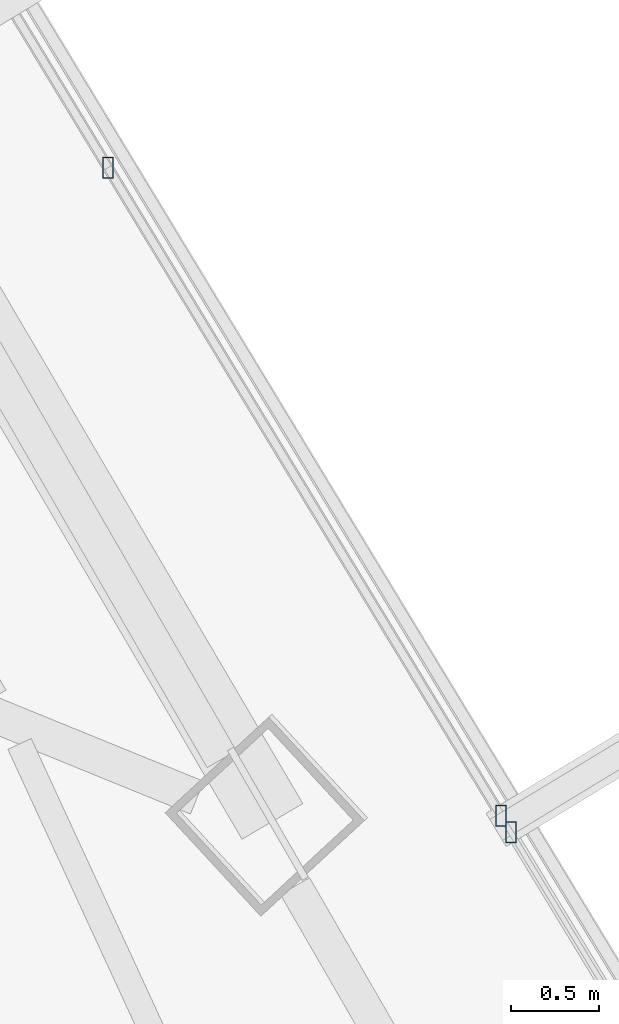
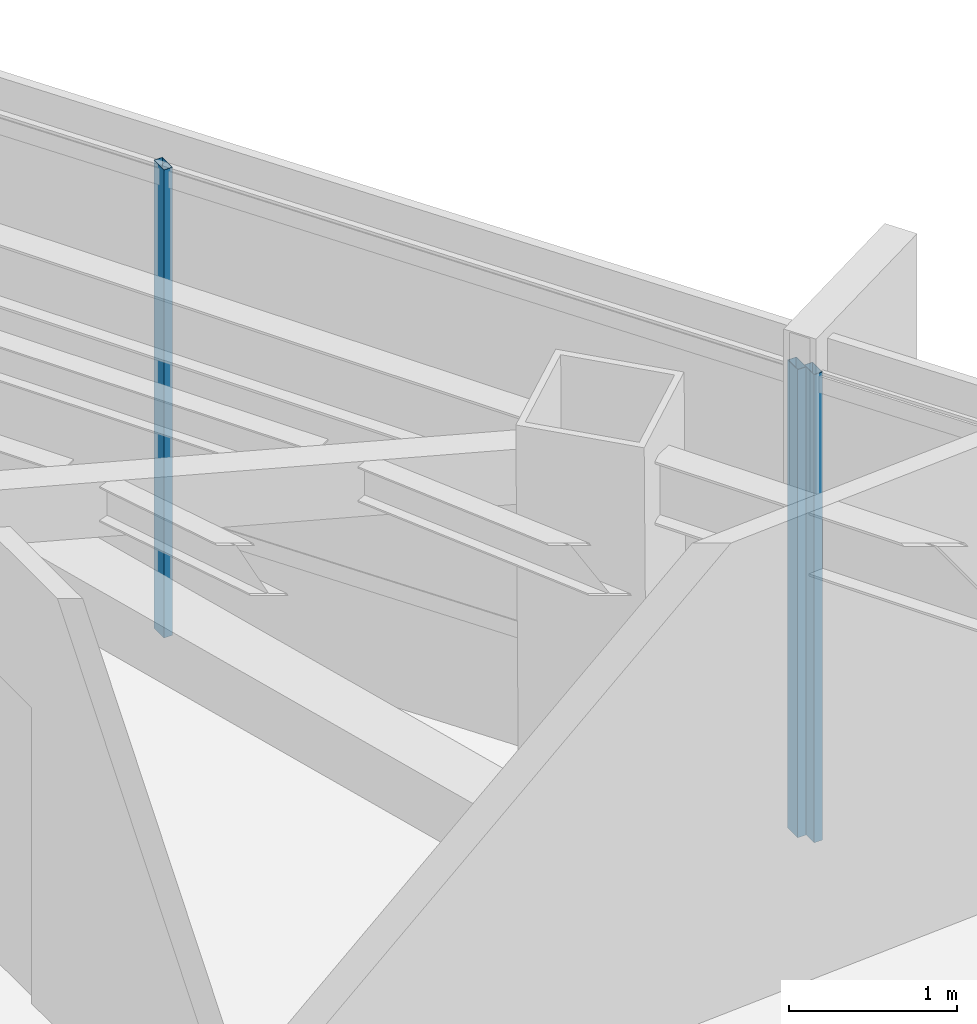
# One storey, part 29 of 47: 3 members, 2 elements without a shape of their own.
"""IFC4 building model written with IfcOpenShell, lengths in metres."""

import ifcopenshell
import ifcopenshell.guid

model = None  # the IFC model being written
_history = None  # IfcOwnerHistory: only IFC2X3 demands one
_inside = {}  # id of a spatial element -> (the spatial element, [elements in it])
_under = {}  # id of a project, library or spatial element -> (it, [spatial elements below it])
_declared = {}  # id of a project -> (the project, [libraries it declares])
_typed = {}  # id of a type object -> (the type object, [elements of that type])
_made_of = {}  # id of a material, layer set ... -> (it, [elements and type objects made of it])


def new_model(schema):
    """Start an empty IFC model of exactly this schema.

    Asked for "IFC4X3", IfcOpenShell would pick the latest addendum, in which some entities
    have other attributes; the version numbers below select the first issue.
    IFC2X3 requires an IfcOwnerHistory on every rooted entity: one is made here for all.
    """
    global model, _history
    if schema == "IFC4X3":
        model = ifcopenshell.file(schema_version=(4, 3, 0, 0))
    else:
        model = ifcopenshell.file(schema=schema)
    _inside.clear()
    _under.clear()
    _declared.clear()
    _typed.clear()
    _made_of.clear()
    _history = None
    if model.schema == "IFC2X3":
        org = make("IfcOrganization", Name="unknown")
        user = make(
            "IfcPersonAndOrganization",
            ThePerson=make("IfcPerson", FamilyName="unknown"),
            TheOrganization=org,
        )
        app = make(
            "IfcApplication",
            ApplicationDeveloper=org,
            Version="unknown",
            ApplicationFullName="unknown",
            ApplicationIdentifier="unknown",
        )
        _history = make(
            "IfcOwnerHistory",
            OwningUser=user,
            OwningApplication=app,
            ChangeAction="ADDED",
            CreationDate=0,
        )
    return model


def make(cls, **values):
    """One entity of the class cls with the attributes given. An attribute that is None is left unset."""
    return model.create_entity(
        cls, **{name: value for name, value in values.items() if value is not None}
    )


def rooted(cls, **values):
    """An entity with a GlobalId (a new one), such as an element, a storey or a relation."""
    return make(cls, GlobalId=ifcopenshell.guid.new(), OwnerHistory=_history, **values)


def si_unit(unit_type, name, prefix=None):
    """IfcSIUnit, for example si_unit("LENGTHUNIT", "METRE", prefix="MILLI")."""
    return make("IfcSIUnit", UnitType=unit_type, Prefix=prefix, Name=name)


def assignment(units):
    """IfcUnitAssignment: the units of a project."""
    return None if units is None else make("IfcUnitAssignment", Units=units)


def point(xyz):
    """IfcCartesianPoint."""
    return None if xyz is None else make("IfcCartesianPoint", Coordinates=xyz)


def direction(xyz):
    """IfcDirection."""
    return None if xyz is None else make("IfcDirection", DirectionRatios=xyz)


def frame(location, z_axis=None, x_axis=None):
    """IfcAxis2Placement3D, a coordinate frame: its origin and axes. An axis left out is left unset."""
    return make(
        "IfcAxis2Placement3D",
        Location=point(location),
        Axis=direction(z_axis),
        RefDirection=direction(x_axis),
    )


def frame_2d(location, x_axis=None):
    """IfcAxis2Placement2D, a coordinate frame in the plane: its origin and x axis."""
    return make(
        "IfcAxis2Placement2D", Location=point(location), RefDirection=direction(x_axis)
    )


def origin():
    """The frame at (0, 0, 0) with its axes left unset."""
    return frame((0.0, 0.0, 0.0))


def origin_2d():
    """The frame at (0, 0) in the plane with its x axis left unset."""
    return frame_2d((0.0, 0.0))


def place(relative_to, where):
    """IfcLocalPlacement: puts the frame where relative to a parent placement (None: the world)."""
    return make(
        "IfcLocalPlacement", PlacementRelTo=relative_to, RelativePlacement=where
    )


def context(
    kind, dimensions, precision=None, world=None, true_north=None, identifier=None
):
    """IfcGeometricRepresentationContext, for example the 3D "Model" context."""
    return make(
        "IfcGeometricRepresentationContext",
        ContextIdentifier=identifier,
        ContextType=kind,
        CoordinateSpaceDimension=dimensions,
        Precision=precision,
        WorldCoordinateSystem=world,
        TrueNorth=true_north,
    )


def subcontext(parent, identifier, kind, view, scale=None):
    """IfcGeometricRepresentationSubContext, for example "Body" below "Model"."""
    return make(
        "IfcGeometricRepresentationSubContext",
        ContextIdentifier=identifier,
        ContextType=kind,
        ParentContext=parent,
        TargetScale=scale,
        TargetView=view,
    )


def project(units=None, contexts=None):
    """IfcProject with its units and contexts."""
    return rooted(
        "IfcProject",
        Name="project",
        RepresentationContexts=contexts,
        UnitsInContext=assignment(units),
    )


def spatial(cls, under=None, at=None, **own):
    """A site, building, storey or space (cls), placed at a placement, below another one or the project."""
    s = rooted(cls, ObjectPlacement=at, **own)
    if under is not None:
        _under.setdefault(under.id(), (under, []))[1].append(s)
    return s


def profile(cls, at=None, kind="AREA", **sizes):
    """A parametric profile (cls). Its sizes go by their IFC names, for example OverallWidth=200.0."""
    return make(cls, ProfileType=kind, Position=at, **sizes)


def hollow_rectangle(**sizes):
    """IfcRectangleHollowProfileDef."""
    return profile("IfcRectangleHollowProfileDef", **sizes)


def extrude(swept, where, along, depth):
    """IfcExtrudedAreaSolid: the profile swept, set in the frame where, extruded along a direction by depth."""
    return make(
        "IfcExtrudedAreaSolid",
        SweptArea=swept,
        Position=where,
        ExtrudedDirection=direction(along),
        Depth=depth,
    )


def shape(context_of_items, identifier, shape_type, items):
    """IfcShapeRepresentation: the items that make up one representation, for example the "Body"."""
    return make(
        "IfcShapeRepresentation",
        ContextOfItems=context_of_items,
        RepresentationIdentifier=identifier,
        RepresentationType=shape_type,
        Items=items,
    )


def source(mapping_origin, context_of_items, identifier, shape_type, items):
    """IfcRepresentationMap: a shape defined once, which mapped items show again and again."""
    return make(
        "IfcRepresentationMap",
        MappingOrigin=mapping_origin,
        MappedRepresentation=shape(context_of_items, identifier, shape_type, items),
    )


def transform(
    local_origin,
    x_axis=None,
    y_axis=None,
    z_axis=None,
    scale=None,
    scale2=None,
    scale3=None,
    uniform=True,
):
    """IfcCartesianTransformationOperator3D, or its non-uniform kind. x_axis, y_axis, z_axis: its Axis1, 2, 3."""
    if uniform:
        return make(
            "IfcCartesianTransformationOperator3D",
            Axis1=direction(x_axis),
            Axis2=direction(y_axis),
            LocalOrigin=point(local_origin),
            Scale=scale,
            Axis3=direction(z_axis),
        )
    return make(
        "IfcCartesianTransformationOperator3DnonUniform",
        Axis1=direction(x_axis),
        Axis2=direction(y_axis),
        LocalOrigin=point(local_origin),
        Scale=scale,
        Axis3=direction(z_axis),
        Scale2=scale2,
        Scale3=scale3,
    )


def mapped(mapping_source, mapping_target):
    """IfcMappedItem: shows the shape of a source again, moved by a transform."""
    return make(
        "IfcMappedItem", MappingSource=mapping_source, MappingTarget=mapping_target
    )


def material(Name=None, Category=None):
    """IfcMaterial."""
    return make("IfcMaterial", Name=Name, Category=Category)


def material_profile(
    of_material, cross_section, Name=None, Category=None, Priority=None
):
    """IfcMaterialProfile: a cross section and its material."""
    return make(
        "IfcMaterialProfile",
        Name=Name,
        Material=of_material,
        Profile=cross_section,
        Priority=Priority,
        Category=Category,
    )


def profile_set(profiles, Name=None, composite=None):
    """IfcMaterialProfileSet."""
    return make(
        "IfcMaterialProfileSet",
        Name=Name,
        MaterialProfiles=profiles,
        CompositeProfile=composite,
    )


def made_of(thing, what):
    """Note that an element or type object is made of a material, layer set ...; save() writes the relation."""
    if what is not None:
        _made_of.setdefault(what.id(), (what, []))[1].append(thing)
    return thing


def type_object(cls, material=None, **own):
    """A type object (cls), such as IfcWallType, which elements share."""
    return made_of(rooted(cls, **own), material)


def type_shapes(of_type, sources):
    """Give a type object the sources (RepresentationMaps) that its elements show as mapped items."""
    of_type.RepresentationMaps = sources


def element(
    cls,
    number,
    at=None,
    inside=None,
    cuts=None,
    type_object=None,
    material=None,
    context=None,
    identifier="Body",
    shape_type=None,
    held_by="IfcProductDefinitionShape",
    body=None,
    shapes=None,
    **own,
):
    """One element of the class cls, such as IfcWall. Its Tag is "e" and its number.

    at: its placement. inside: the storey or other place that contains it. cuts: it is an
    opening in that element (IfcRelVoidsElement). A single representation is given by context,
    identifier, shape_type and body (its items); several are given by shapes. held_by: the class
    of the entity that holds the representations. save() writes the other relations.
    """
    e = rooted(cls, Tag="e%d" % number, ObjectPlacement=at, **own)
    if body is not None:
        shapes = [shape(context, identifier, shape_type, body)]
    if shapes is not None:
        e.Representation = make(held_by, Representations=shapes)
    if inside is not None:
        _inside.setdefault(inside.id(), (inside, []))[1].append(e)
    if cuts is not None:
        rooted(
            "IfcRelVoidsElement", RelatingBuildingElement=cuts, RelatedOpeningElement=e
        )
    if type_object is not None:
        _typed.setdefault(type_object.id(), (type_object, []))[1].append(e)
    return made_of(e, material)


def aggregate(whole, parts):
    """IfcRelAggregates: a whole, such as a stair, and the parts it consists of."""
    return rooted("IfcRelAggregates", RelatingObject=whole, RelatedObjects=parts)


def save(model, path):
    """Write the relations noted so far, then the file.

    IfcRelAggregates (storeys below a building ...), IfcRelContainedInSpatialStructure (elements
    in a storey), IfcRelDefinesByType, IfcRelAssociatesMaterial and IfcRelDeclares: one each for
    every whole, place, type object, material and project.
    """
    for whole, parts in _under.values():
        aggregate(whole, parts)
    for where, things in _inside.values():
        rooted(
            "IfcRelContainedInSpatialStructure",
            RelatedElements=things,
            RelatingStructure=where,
        )
    for kind, things in _typed.values():
        rooted("IfcRelDefinesByType", RelatedObjects=things, RelatingType=kind)
    for what, things in _made_of.values():
        rooted("IfcRelAssociatesMaterial", RelatedObjects=things, RelatingMaterial=what)
    for by, libraries in _declared.values():
        rooted("IfcRelDeclares", RelatingContext=by, RelatedDefinitions=libraries)
    model.write(path)


model = new_model("IFC4")

# Units and contexts
model_context = context("Model", 3, precision=1e-05, world=origin(), true_north=direction((0.0, 1.0)))
body_context = subcontext(model_context, "Body", "Model", "MODEL_VIEW")
ifc_project = project(units=[si_unit("LENGTHUNIT", "METRE"), si_unit("AREAUNIT", "SQUARE_METRE"), si_unit("VOLUMEUNIT", "CUBIC_METRE"), si_unit("PLANEANGLEUNIT", "RADIAN"), si_unit("MASSUNIT", "GRAM", prefix="KILO")], contexts=[model_context])

# Site, building, storey
site_placement = place(None, origin())
site = spatial("IfcSite", under=ifc_project, at=site_placement, CompositionType="ELEMENT")
building_placement = place(site_placement, origin())
building = spatial("IfcBuilding", under=site, at=building_placement, Name="Caelisora Broadcast Tower", CompositionType="ELEMENT")
storey_placement = place(building_placement, frame((0.0, 0.0, 229.85009765625)))
storey = spatial("IfcBuildingStorey", under=building, at=storey_placement, Name="L60", CompositionType="ELEMENT", Elevation=229.85009765625)

# Curtain wall, members
ifc_material_1 = material(Name="Unitised Aluminium Insulated Shadow-Box Spandrel Curtain Wall", Category="aluminium")
curtain_wall_type_1 = type_object("IfcCurtainWallType", Name="CW-SP3", PredefinedType="NOTDEFINED", material=ifc_material_1)
curtain_wall_1_placement = place(storey_placement, origin())
curtain_wall_1 = element("IfcCurtainWall", 1, at=curtain_wall_1_placement, inside=storey, type_object=curtain_wall_type_1, Name="L60 curtain wall CW-SP3", PredefinedType="NOTDEFINED")
ifc_material_2 = material(Name="Aluminium 6063-T6 Anodised Terracotta Bronze", Category="aluminium")
ifc_material_profile = material_profile(ifc_material_2, hollow_rectangle(XDim=0.06005859375, YDim=0.1201171875, WallThickness=0.0029296875, at=origin_2d()), Name="Aluminium 6063-T6 Anodised Terracotta Bronze")
ifc_profile_set = profile_set([ifc_material_profile], Name="Aluminium 6063-T6 Anodised Terracotta Bronze")
member_type = type_object("IfcMemberType", Name="CWM-04", PredefinedType="MULLION", material=ifc_profile_set)
shared_shape = source(origin(), body_context, "Body", "SweptSolid", [
    extrude(hollow_rectangle(XDim=0.06005859375, YDim=0.1201171875, WallThickness=0.0029296875, at=origin_2d()), origin(), (0.0, 0.0, 1.0), 3.39990234375),
])
type_shapes(member_type, [shared_shape])
member_1_placement = place(storey_placement, frame((53.142822265625, 30.255126953125, 0.0), z_axis=(0.0, 0.0, 1.0), x_axis=(1.0, 0.0, 0.0)))
member_1 = element("IfcMember", 2, at=member_1_placement, type_object=member_type, Name="L60-CW-B02 mullion #2", PredefinedType="MULLION", context=body_context, shape_type="MappedRepresentation", body=[
    mapped(shared_shape, transform((0.0, 0.0, 0.0), scale=1.0)),
])
member_2_placement = place(storey_placement, frame((55.37353515625, 26.57568359375, 0.0), z_axis=(0.0, 0.0, 1.0), x_axis=(1.0, 0.0, 0.0)))
member_2 = element("IfcMember", 3, at=member_2_placement, type_object=member_type, Name="L60-CW-B02 mullion #3", PredefinedType="MULLION", context=body_context, shape_type="MappedRepresentation", body=[
    mapped(shared_shape, transform((0.0, 0.0, 0.0), scale=1.0)),
])
aggregate(curtain_wall_1, [member_1, member_2])

# Curtain wall, member
ifc_material_3 = material(Name="Unitised Aluminium and Low-E Glass Curtain Wall", Category="glass")
curtain_wall_type_2 = type_object("IfcCurtainWallType", Name="CW-Z5", PredefinedType="NOTDEFINED", material=ifc_material_3)
curtain_wall_2_placement = place(storey_placement, origin())
curtain_wall_2 = element("IfcCurtainWall", 4, at=curtain_wall_2_placement, inside=storey, type_object=curtain_wall_type_2, Name="L60 curtain wall CW-Z5", PredefinedType="NOTDEFINED")
member_3_placement = place(storey_placement, frame((55.4306640625, 26.481689453125, 0.0), z_axis=(0.0, 0.0, 1.0), x_axis=(1.0, 0.0, 0.0)))
member_3 = element("IfcMember", 5, at=member_3_placement, type_object=member_type, Name="L60-CW-B03 mullion #0", PredefinedType="MULLION", context=body_context, shape_type="MappedRepresentation", body=[
    mapped(shared_shape, transform((0.0, 0.0, 0.0), scale=1.0)),
])
aggregate(curtain_wall_2, [member_3])

save(model, "model.ifc")
